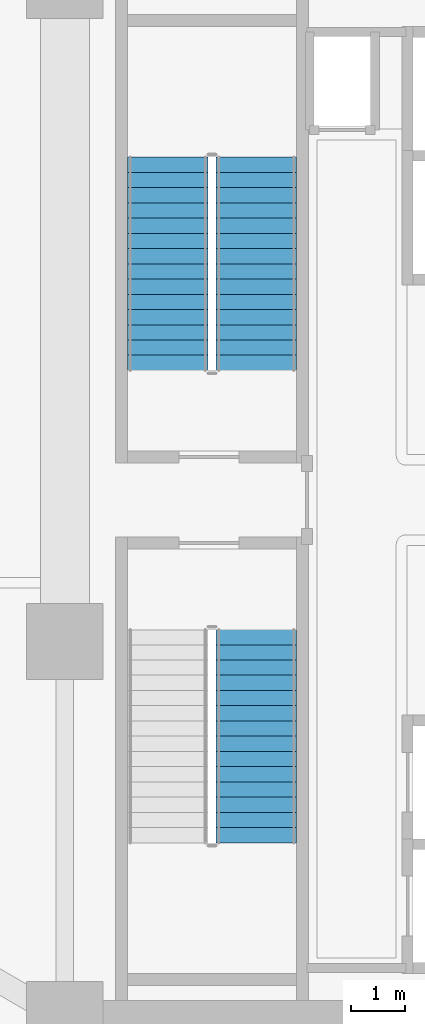
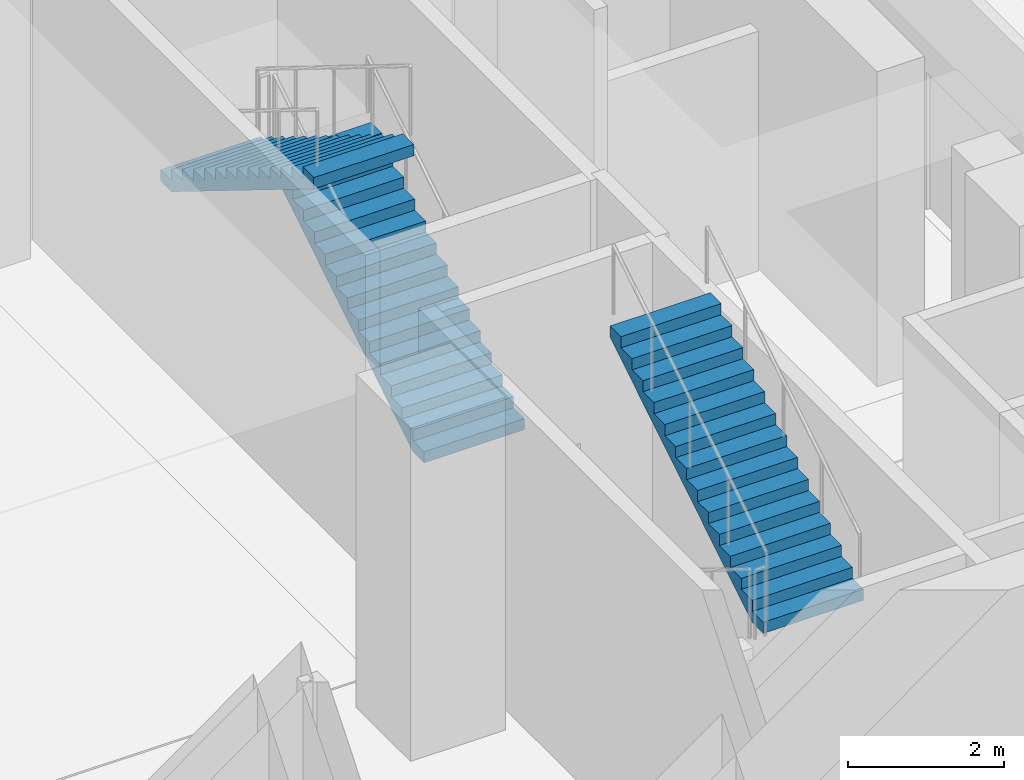
# One storey, part 30 of 39: 3 stair flights, 2 elements without a shape of their own.
"""IFC4 building model written with IfcOpenShell, lengths in metres."""

import ifcopenshell
import ifcopenshell.guid

model = None  # the IFC model being written
_history = None  # IfcOwnerHistory: only IFC2X3 demands one
_inside = {}  # id of a spatial element -> (the spatial element, [elements in it])
_under = {}  # id of a project, library or spatial element -> (it, [spatial elements below it])
_declared = {}  # id of a project -> (the project, [libraries it declares])
_typed = {}  # id of a type object -> (the type object, [elements of that type])
_made_of = {}  # id of a material, layer set ... -> (it, [elements and type objects made of it])


def new_model(schema):
    """Start an empty IFC model of exactly this schema.

    Asked for "IFC4X3", IfcOpenShell would pick the latest addendum, in which some entities
    have other attributes; the version numbers below select the first issue.
    IFC2X3 requires an IfcOwnerHistory on every rooted entity: one is made here for all.
    """
    global model, _history
    if schema == "IFC4X3":
        model = ifcopenshell.file(schema_version=(4, 3, 0, 0))
    else:
        model = ifcopenshell.file(schema=schema)
    _inside.clear()
    _under.clear()
    _declared.clear()
    _typed.clear()
    _made_of.clear()
    _history = None
    if model.schema == "IFC2X3":
        org = make("IfcOrganization", Name="unknown")
        user = make(
            "IfcPersonAndOrganization",
            ThePerson=make("IfcPerson", FamilyName="unknown"),
            TheOrganization=org,
        )
        app = make(
            "IfcApplication",
            ApplicationDeveloper=org,
            Version="unknown",
            ApplicationFullName="unknown",
            ApplicationIdentifier="unknown",
        )
        _history = make(
            "IfcOwnerHistory",
            OwningUser=user,
            OwningApplication=app,
            ChangeAction="ADDED",
            CreationDate=0,
        )
    return model


def make(cls, **values):
    """One entity of the class cls with the attributes given. An attribute that is None is left unset."""
    return model.create_entity(
        cls, **{name: value for name, value in values.items() if value is not None}
    )


def rooted(cls, **values):
    """An entity with a GlobalId (a new one), such as an element, a storey or a relation."""
    return make(cls, GlobalId=ifcopenshell.guid.new(), OwnerHistory=_history, **values)


def si_unit(unit_type, name, prefix=None):
    """IfcSIUnit, for example si_unit("LENGTHUNIT", "METRE", prefix="MILLI")."""
    return make("IfcSIUnit", UnitType=unit_type, Prefix=prefix, Name=name)


def assignment(units):
    """IfcUnitAssignment: the units of a project."""
    return None if units is None else make("IfcUnitAssignment", Units=units)


def point(xyz):
    """IfcCartesianPoint."""
    return None if xyz is None else make("IfcCartesianPoint", Coordinates=xyz)


def direction(xyz):
    """IfcDirection."""
    return None if xyz is None else make("IfcDirection", DirectionRatios=xyz)


def frame(location, z_axis=None, x_axis=None):
    """IfcAxis2Placement3D, a coordinate frame: its origin and axes. An axis left out is left unset."""
    return make(
        "IfcAxis2Placement3D",
        Location=point(location),
        Axis=direction(z_axis),
        RefDirection=direction(x_axis),
    )


def origin():
    """The frame at (0, 0, 0) with its axes left unset."""
    return frame((0.0, 0.0, 0.0))


def place(relative_to, where):
    """IfcLocalPlacement: puts the frame where relative to a parent placement (None: the world)."""
    return make(
        "IfcLocalPlacement", PlacementRelTo=relative_to, RelativePlacement=where
    )


def context(
    kind, dimensions, precision=None, world=None, true_north=None, identifier=None
):
    """IfcGeometricRepresentationContext, for example the 3D "Model" context."""
    return make(
        "IfcGeometricRepresentationContext",
        ContextIdentifier=identifier,
        ContextType=kind,
        CoordinateSpaceDimension=dimensions,
        Precision=precision,
        WorldCoordinateSystem=world,
        TrueNorth=true_north,
    )


def subcontext(parent, identifier, kind, view, scale=None):
    """IfcGeometricRepresentationSubContext, for example "Body" below "Model"."""
    return make(
        "IfcGeometricRepresentationSubContext",
        ContextIdentifier=identifier,
        ContextType=kind,
        ParentContext=parent,
        TargetScale=scale,
        TargetView=view,
    )


def project(units=None, contexts=None):
    """IfcProject with its units and contexts."""
    return rooted(
        "IfcProject",
        Name="project",
        RepresentationContexts=contexts,
        UnitsInContext=assignment(units),
    )


def spatial(cls, under=None, at=None, **own):
    """A site, building, storey or space (cls), placed at a placement, below another one or the project."""
    s = rooted(cls, ObjectPlacement=at, **own)
    if under is not None:
        _under.setdefault(under.id(), (under, []))[1].append(s)
    return s


def polyline(points):
    """IfcPolyline through the points."""
    return make("IfcPolyline", Points=[point(p) for p in points])


def outline(outer, holes=None, kind="AREA"):
    """IfcArbitraryClosedProfileDef: a profile drawn as a closed curve; with holes, ...WithVoids."""
    if holes is None:
        return make("IfcArbitraryClosedProfileDef", ProfileType=kind, OuterCurve=outer)
    return make(
        "IfcArbitraryProfileDefWithVoids",
        ProfileType=kind,
        OuterCurve=outer,
        InnerCurves=holes,
    )


def extrude(swept, where, along, depth):
    """IfcExtrudedAreaSolid: the profile swept, set in the frame where, extruded along a direction by depth."""
    return make(
        "IfcExtrudedAreaSolid",
        SweptArea=swept,
        Position=where,
        ExtrudedDirection=direction(along),
        Depth=depth,
    )


def shape(context_of_items, identifier, shape_type, items):
    """IfcShapeRepresentation: the items that make up one representation, for example the "Body"."""
    return make(
        "IfcShapeRepresentation",
        ContextOfItems=context_of_items,
        RepresentationIdentifier=identifier,
        RepresentationType=shape_type,
        Items=items,
    )


def material(Name=None, Category=None):
    """IfcMaterial."""
    return make("IfcMaterial", Name=Name, Category=Category)


def made_of(thing, what):
    """Note that an element or type object is made of a material, layer set ...; save() writes the relation."""
    if what is not None:
        _made_of.setdefault(what.id(), (what, []))[1].append(thing)
    return thing


def type_object(cls, material=None, **own):
    """A type object (cls), such as IfcWallType, which elements share."""
    return made_of(rooted(cls, **own), material)


def element(
    cls,
    number,
    at=None,
    inside=None,
    cuts=None,
    type_object=None,
    material=None,
    context=None,
    identifier="Body",
    shape_type=None,
    held_by="IfcProductDefinitionShape",
    body=None,
    shapes=None,
    **own,
):
    """One element of the class cls, such as IfcWall. Its Tag is "e" and its number.

    at: its placement. inside: the storey or other place that contains it. cuts: it is an
    opening in that element (IfcRelVoidsElement). A single representation is given by context,
    identifier, shape_type and body (its items); several are given by shapes. held_by: the class
    of the entity that holds the representations. save() writes the other relations.
    """
    e = rooted(cls, Tag="e%d" % number, ObjectPlacement=at, **own)
    if body is not None:
        shapes = [shape(context, identifier, shape_type, body)]
    if shapes is not None:
        e.Representation = make(held_by, Representations=shapes)
    if inside is not None:
        _inside.setdefault(inside.id(), (inside, []))[1].append(e)
    if cuts is not None:
        rooted(
            "IfcRelVoidsElement", RelatingBuildingElement=cuts, RelatedOpeningElement=e
        )
    if type_object is not None:
        _typed.setdefault(type_object.id(), (type_object, []))[1].append(e)
    return made_of(e, material)


def aggregate(whole, parts):
    """IfcRelAggregates: a whole, such as a stair, and the parts it consists of."""
    return rooted("IfcRelAggregates", RelatingObject=whole, RelatedObjects=parts)


def save(model, path):
    """Write the relations noted so far, then the file.

    IfcRelAggregates (storeys below a building ...), IfcRelContainedInSpatialStructure (elements
    in a storey), IfcRelDefinesByType, IfcRelAssociatesMaterial and IfcRelDeclares: one each for
    every whole, place, type object, material and project.
    """
    for whole, parts in _under.values():
        aggregate(whole, parts)
    for where, things in _inside.values():
        rooted(
            "IfcRelContainedInSpatialStructure",
            RelatedElements=things,
            RelatingStructure=where,
        )
    for kind, things in _typed.values():
        rooted("IfcRelDefinesByType", RelatedObjects=things, RelatingType=kind)
    for what, things in _made_of.values():
        rooted("IfcRelAssociatesMaterial", RelatedObjects=things, RelatingMaterial=what)
    for by, libraries in _declared.values():
        rooted("IfcRelDeclares", RelatingContext=by, RelatedDefinitions=libraries)
    model.write(path)


model = new_model("IFC4")

# Units and contexts
model_context = context("Model", 3, precision=1e-05, world=origin(), true_north=direction((0.0, 1.0)))
body_context = subcontext(model_context, "Body", "Model", "MODEL_VIEW")
ifc_project = project(units=[si_unit("LENGTHUNIT", "METRE"), si_unit("AREAUNIT", "SQUARE_METRE"), si_unit("VOLUMEUNIT", "CUBIC_METRE"), si_unit("PLANEANGLEUNIT", "RADIAN"), si_unit("MASSUNIT", "GRAM", prefix="KILO")], contexts=[model_context])

# Site, building, storey
site_placement = place(None, origin())
site = spatial("IfcSite", under=ifc_project, at=site_placement, CompositionType="ELEMENT")
building_placement = place(site_placement, origin())
building = spatial("IfcBuilding", under=site, at=building_placement, Name="Valdorenza Pilgrim Sanctuary Tower", CompositionType="ELEMENT")
storey_placement = place(building_placement, frame((0.0, 0.0, 5.199951171875)))
storey = spatial("IfcBuildingStorey", under=building, at=storey_placement, Name="L01", CompositionType="ELEMENT", Elevation=5.199951171875)

# Stair, stair flights
ifc_material = material(Name="Concrete C40/50", Category="concrete")
stair_type = type_object("IfcStairType", Name="STR-DOG-CORE", PredefinedType="HALF_TURN_STAIR", material=ifc_material)
stair_1_placement = place(storey_placement, origin())
stair_1 = element("IfcStair", 1, at=stair_1_placement, inside=storey, type_object=stair_type, Name="L01 ST-B1", PredefinedType="HALF_TURN_STAIR")
stair_flight_type = type_object("IfcStairFlightType", Name="STF-RC-1400", PredefinedType="STRAIGHT", material=ifc_material)
stair_flight_1_placement = place(storey_placement, frame((19.3701171875, 2.3798828125, 0.0), z_axis=(0.0, 0.0, 1.0), x_axis=(0.0, 1.0, 0.0)))
stair_flight_1 = element("IfcStairFlight", 2, at=stair_flight_1_placement, type_object=stair_flight_type, Name="ST-B1 flight 1", NumberOfRisers=15, NumberOfTreads=14, PredefinedType="STRAIGHT", RiserHeight=0.173333333, TreadLength=0.28, context=body_context, shape_type="SweptSolid", body=[
    extrude(outline(polyline([(0.0, 0.0), (0.0, 0.17333984375), (0.280029296875, 0.17333984375), (0.280029296875, 0.3466796875), (0.56005859375, 0.3466796875), (0.56005859375, 0.52001953125), (0.840087890625, 0.52001953125), (0.840087890625, 0.693359375), (1.1201171875, 0.693359375), (1.1201171875, 0.86669921875), (1.39990234375, 0.86669921875), (1.39990234375, 1.0400390625), (1.679931640625, 1.0400390625), (1.679931640625, 1.21337890625), (1.9599609375, 1.21337890625), (1.9599609375, 1.38671875), (2.239990234375, 1.38671875), (2.239990234375, 1.56005859375), (2.52001953125, 1.56005859375), (2.52001953125, 1.7333984375), (2.800048828125, 1.7333984375), (2.800048828125, 1.90673828125), (3.080078125, 1.90673828125), (3.080078125, 2.080078125), (3.360107421875, 2.080078125), (3.360107421875, 2.25341796875), (3.639892578125, 2.25341796875), (3.639892578125, 2.4267578125), (3.919921875, 2.4267578125), (3.919921875, 2.60009765625), (3.919921875, 2.250244140625), (0.284912109375, 0.0), (0.0, 0.0)])), frame((0.0, 0.739990234375, 0.0), z_axis=(0.0, -1.0, 0.0), x_axis=(1.0, 0.0, 0.0)), (0.0, 0.0, 1.0), 1.47998046875),
])
stair_flight_2_placement = place(storey_placement, frame((17.739990234375, 6.300048828125, 2.60009765625), z_axis=(0.0, 0.0, 1.0), x_axis=(0.0, -1.0, 0.0)))
stair_flight_2 = element("IfcStairFlight", 3, at=stair_flight_2_placement, type_object=stair_flight_type, Name="ST-B1 flight 2", NumberOfRisers=15, NumberOfTreads=14, PredefinedType="STRAIGHT", RiserHeight=0.173333333, TreadLength=0.28, context=body_context, shape_type="SweptSolid", body=[
    extrude(outline(polyline([(0.0, 0.0), (0.0, 0.17333984375), (0.280029296875, 0.17333984375), (0.280029296875, 0.3466796875), (0.56005859375, 0.3466796875), (0.56005859375, 0.52001953125), (0.840087890625, 0.52001953125), (0.840087890625, 0.693359375), (1.1201171875, 0.693359375), (1.1201171875, 0.86669921875), (1.39990234375, 0.86669921875), (1.39990234375, 1.0400390625), (1.679931640625, 1.0400390625), (1.679931640625, 1.21337890625), (1.9599609375, 1.21337890625), (1.9599609375, 1.38671875), (2.239990234375, 1.38671875), (2.239990234375, 1.56005859375), (2.52001953125, 1.56005859375), (2.52001953125, 1.7333984375), (2.800048828125, 1.7333984375), (2.800048828125, 1.90673828125), (3.080078125, 1.90673828125), (3.080078125, 2.080078125), (3.360107421875, 2.080078125), (3.360107421875, 2.25341796875), (3.639892578125, 2.25341796875), (3.639892578125, 2.4267578125), (3.919921875, 2.4267578125), (3.919921875, 2.60009765625), (3.919921875, 2.250244140625), (0.284912109375, 0.0), (0.0, 0.0)])), frame((0.0, 0.739990234375, 0.0), z_axis=(0.0, -1.0, 0.0), x_axis=(1.0, 0.0, 0.0)), (0.0, 0.0, 1.0), 1.47998046875),
])
aggregate(stair_1, [stair_flight_1, stair_flight_2])

# Stair, stair flight
stair_2_placement = place(storey_placement, origin())
stair_2 = element("IfcStair", 4, at=stair_2_placement, inside=storey, type_object=stair_type, Name="L01 ST-B2", PredefinedType="HALF_TURN_STAIR")
stair_flight_3_placement = place(storey_placement, frame((19.3701171875, -6.300048828125, 2.60009765625), z_axis=(0.0, 0.0, 1.0), x_axis=(0.0, 1.0, 0.0)))
stair_flight_3 = element("IfcStairFlight", 5, at=stair_flight_3_placement, type_object=stair_flight_type, Name="ST-B2 flight 2", NumberOfRisers=15, NumberOfTreads=14, PredefinedType="STRAIGHT", RiserHeight=0.173333333, TreadLength=0.28, context=body_context, shape_type="SweptSolid", body=[
    extrude(outline(polyline([(0.0, 0.0), (0.0, 0.17333984375), (0.280029296875, 0.17333984375), (0.280029296875, 0.3466796875), (0.56005859375, 0.3466796875), (0.56005859375, 0.52001953125), (0.840087890625, 0.52001953125), (0.840087890625, 0.693359375), (1.1201171875, 0.693359375), (1.1201171875, 0.86669921875), (1.39990234375, 0.86669921875), (1.39990234375, 1.0400390625), (1.679931640625, 1.0400390625), (1.679931640625, 1.21337890625), (1.9599609375, 1.21337890625), (1.9599609375, 1.38671875), (2.239990234375, 1.38671875), (2.239990234375, 1.56005859375), (2.52001953125, 1.56005859375), (2.52001953125, 1.7333984375), (2.800048828125, 1.7333984375), (2.800048828125, 1.90673828125), (3.080078125, 1.90673828125), (3.080078125, 2.080078125), (3.360107421875, 2.080078125), (3.360107421875, 2.25341796875), (3.639892578125, 2.25341796875), (3.639892578125, 2.4267578125), (3.919921875, 2.4267578125), (3.919921875, 2.60009765625), (3.919921875, 2.250244140625), (0.284912109375, 0.0), (0.0, 0.0)])), frame((0.0, 0.739990234375, 0.0), z_axis=(0.0, -1.0, 0.0), x_axis=(1.0, 0.0, 0.0)), (0.0, 0.0, 1.0), 1.47998046875),
])
aggregate(stair_2, [stair_flight_3])

save(model, "model.ifc")
